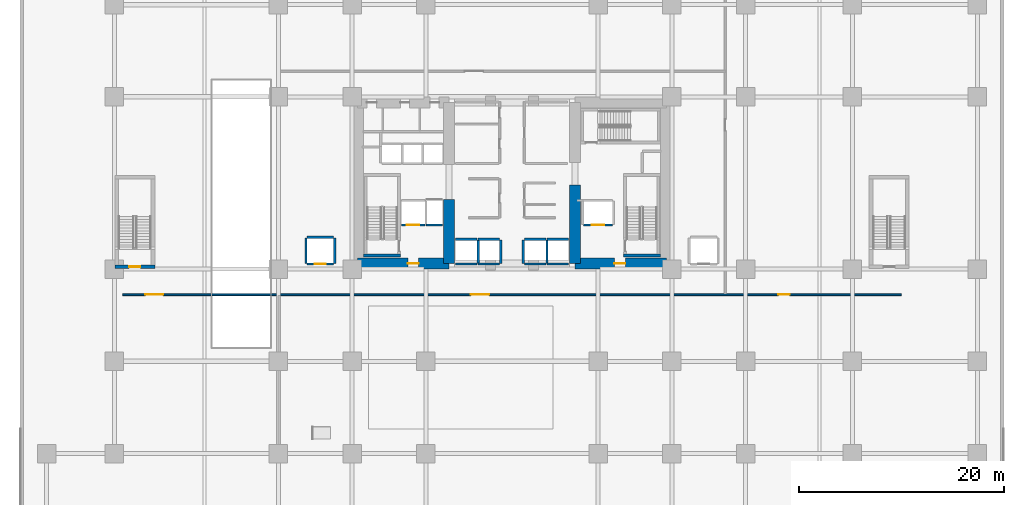
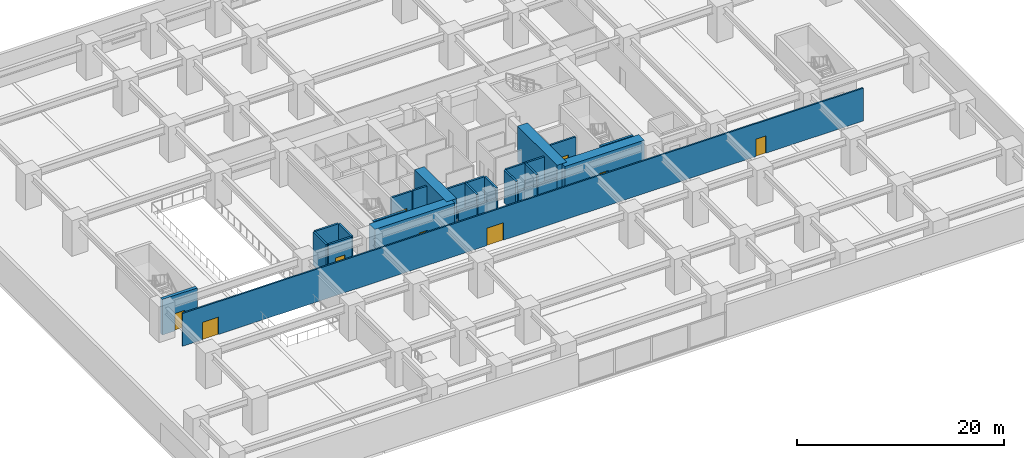
# One storey, part 10 of 22: 27 walls, 9 doors, 9 openings.
"""IFC4 building model written with IfcOpenShell, lengths in metres."""

from ifc_helpers import new_model, si_unit, direction, frame, frame_2d, origin, place, context, subcontext, project, spatial, rectangle, extrude, material, layer, layer_set, type_object, element, fill, save


model = new_model("IFC4")

# Units and contexts
model_context = context("Model", 3, precision=1e-05, world=origin(), true_north=direction((0.0, 1.0)))
body_context = subcontext(model_context, "Body", "Model", "MODEL_VIEW")
ifc_project = project(units=[si_unit("LENGTHUNIT", "METRE"), si_unit("AREAUNIT", "SQUARE_METRE"), si_unit("VOLUMEUNIT", "CUBIC_METRE"), si_unit("PLANEANGLEUNIT", "RADIAN"), si_unit("MASSUNIT", "GRAM", prefix="KILO")], contexts=[model_context])

# Site, building, storey
site_placement = place(None, origin())
site = spatial("IfcSite", under=ifc_project, at=site_placement, CompositionType="ELEMENT")
building_placement = place(site_placement, origin())
building = spatial("IfcBuilding", under=site, at=building_placement, Name="Kiyonajd Concourse Tower", CompositionType="ELEMENT")
storey_placement = place(building_placement, frame((0.0, 0.0, 8.699951171875)))
storey = spatial("IfcBuildingStorey", under=building, at=storey_placement, Name="L03", CompositionType="ELEMENT", Elevation=8.699951171875)

# Wall
ifc_material_1 = material(Name="Concrete C80/95", Category="concrete")
ifc_layer_1 = layer(ifc_material_1, 1.10009765625)
ifc_layer_set_1 = layer_set([ifc_layer_1], Name="Concrete C80/95")
wall_type_1 = type_object("IfcWallType", Name="WL-CORE-1100", PredefinedType="SHEAR", material=ifc_layer_set_1)
wall_1_placement = place(storey_placement, frame((41.85009765625, 28.14990234375, 0.0), z_axis=(0.0, 0.0, 1.0), x_axis=(0.0, 1.0, 0.0)))
element("IfcWall", 1, at=wall_1_placement, inside=storey, type_object=wall_type_1, Name="L03 West Core Inner South Shear Wall", PredefinedType="SHEAR", context=body_context, shape_type="SweptSolid", body=[
    extrude(rectangle(XDim=6.25, YDim=1.10009765625, at=frame_2d((3.125, 0.0))), origin(), (0.0, 0.0, 1.0), 4.199951171875),
])

# Wall, opening, door
wall_2_placement = place(storey_placement, frame((32.949951171875, 28.14990234375, 0.0), z_axis=(0.0, 0.0, 1.0), x_axis=(1.0, 0.0, 0.0)))
wall_2 = element("IfcWall", 2, at=wall_2_placement, inside=storey, type_object=wall_type_1, Name="L03 West Core South Shear Wall", PredefinedType="SHEAR", context=body_context, shape_type="SweptSolid", body=[
    extrude(rectangle(XDim=8.900146484375, YDim=1.10009765625, at=frame_2d((4.4501953125, 0.0))), origin(), (0.0, 0.0, 1.0), 4.199951171875),
])
opening_1_placement = place(wall_2_placement, frame((4.89990234375, 0.0, 0.0)))
opening_1 = element("IfcOpeningElement", 3, at=opening_1_placement, cuts=wall_2, Name="Opening DF5", PredefinedType="OPENING", context=body_context, shape_type="SweptSolid", body=[
    extrude(rectangle(XDim=1.050048828125, YDim=2.0400390625, at=frame_2d((0.52490234375, 1.02001953125))), frame((0.0, 0.56005859375, 0.0), z_axis=(0.0, -1.0, 0.0), x_axis=(1.0, 0.0, 0.0)), (0.0, 0.0, 1.0), 1.1201171875),
])
ifc_material_2 = material(Name="Brushed Stainless Steel Cab Assembly", Category="steel")
door_type_1 = type_object("IfcDoorType", Name="DR-FD45-1050", OperationType="NOTDEFINED", PredefinedType="DOOR", material=ifc_material_2)
door_1_placement = place(opening_1_placement, origin())
door_1 = element("IfcDoor", 4, at=door_1_placement, inside=storey, type_object=door_type_1, Name="L03 Firefighting Lift Lobby W Smoke Door", OperationType="SINGLE_SWING_LEFT", OverallHeight=2.0400390625, OverallWidth=1.050048828125, PredefinedType="DOOR", context=body_context, shape_type="SweptSolid", body=[
    extrude(rectangle(XDim=1.050048828125, YDim=2.0400390625, at=frame_2d((0.52490234375, 1.02001953125))), frame((0.0, 0.02490234375, 0.0), z_axis=(0.0, -1.0, 0.0), x_axis=(1.0, 0.0, 0.0)), (0.0, 0.0, 1.0), 0.050048828125),
])
fill(opening_1, door_1)

# Wall
wall_3_placement = place(storey_placement, frame((54.14990234375, 28.14990234375, 0.0), z_axis=(0.0, 0.0, 1.0), x_axis=(0.0, 1.0, 0.0)))
element("IfcWall", 5, at=wall_3_placement, inside=storey, type_object=wall_type_1, Name="L03 East Core Inner South Shear Wall", PredefinedType="SHEAR", context=body_context, shape_type="SweptSolid", body=[
    extrude(rectangle(XDim=7.650146484375, YDim=1.10009765625, at=frame_2d((3.8251953125, 0.0))), origin(), (0.0, 0.0, 1.0), 4.199951171875),
])

# Wall, opening, door
wall_4_placement = place(storey_placement, frame((54.14990234375, 28.14990234375, 0.0), z_axis=(0.0, 0.0, 1.0), x_axis=(1.0, 0.0, 0.0)))
wall_4 = element("IfcWall", 6, at=wall_4_placement, inside=storey, type_object=wall_type_1, Name="L03 East Core South Shear Wall", PredefinedType="SHEAR", context=body_context, shape_type="SweptSolid", body=[
    extrude(rectangle(XDim=8.900146484375, YDim=1.10009765625, at=frame_2d((4.4501953125, 0.0))), origin(), (0.0, 0.0, 1.0), 4.199951171875),
])
opening_2_placement = place(wall_4_placement, frame((3.85009765625, 0.0, 0.0)))
opening_2 = element("IfcOpeningElement", 7, at=opening_2_placement, cuts=wall_4, Name="Opening DF5", PredefinedType="OPENING", context=body_context, shape_type="SweptSolid", body=[
    extrude(rectangle(XDim=1.050048828125, YDim=2.0400390625, at=frame_2d((0.52490234375, 1.02001953125))), frame((0.0, 0.56005859375, 0.0), z_axis=(0.0, -1.0, 0.0), x_axis=(1.0, 0.0, 0.0)), (0.0, 0.0, 1.0), 1.1201171875),
])
door_2_placement = place(opening_2_placement, origin())
door_2 = element("IfcDoor", 8, at=door_2_placement, inside=storey, type_object=door_type_1, Name="L03 Firefighting Lift Lobby E Smoke Door", OperationType="SINGLE_SWING_RIGHT", OverallHeight=2.0400390625, OverallWidth=1.050048828125, PredefinedType="DOOR", context=body_context, shape_type="SweptSolid", body=[
    extrude(rectangle(XDim=1.050048828125, YDim=2.0400390625, at=frame_2d((0.52490234375, 1.02001953125))), frame((0.0, 0.02490234375, 0.0), z_axis=(0.0, -1.0, 0.0), x_axis=(1.0, 0.0, 0.0)), (0.0, 0.0, 1.0), 0.050048828125),
])
fill(opening_2, door_2)

ifc_material_3 = material(Name="Gypsum Board on Cold-Formed Steel Stud", Category="steel")
ifc_layer_2 = layer(ifc_material_3, 0.2099609375)
ifc_layer_set_2 = layer_set([ifc_layer_2], Name="Gypsum Board on Cold-Formed Steel Stud")
wall_type_2 = type_object("IfcWallType", Name="WL-SHAFT-210", PredefinedType="PARTITIONING", material=ifc_layer_set_2)
wall_5_placement = place(storey_placement, frame((37.199951171875, 31.89990234375, 0.0), z_axis=(0.0, 0.0, 1.0), x_axis=(1.0, 0.0, 0.0)))
wall_5 = element("IfcWall", 9, at=wall_5_placement, inside=storey, type_object=wall_type_2, Name="L03 Shaft Enclosure Wall", PredefinedType="PARTITIONING", context=body_context, shape_type="SweptSolid", body=[
    extrude(rectangle(XDim=2.300048828125, YDim=0.2099609375, at=frame_2d((1.14990234375, 0.0))), origin(), (0.0, 0.0, 1.0), 3.880126953125),
])
opening_3_placement = place(wall_5_placement, frame((0.550048828125, 0.0, 0.0)))
opening_3 = element("IfcOpeningElement", 10, at=opening_3_placement, cuts=wall_5, Name="Opening LD2", PredefinedType="OPENING", context=body_context, shape_type="SweptSolid", body=[
    extrude(rectangle(XDim=1.199951171875, YDim=2.0400390625, at=frame_2d((0.60009765625, 1.02001953125))), frame((0.0, 0.114990234375, 0.0), z_axis=(0.0, -1.0, 0.0), x_axis=(1.0, 0.0, 0.0)), (0.0, 0.0, 1.0), 0.22998046875),
])
door_type_2 = type_object("IfcDoorType", Name="DR-LD-1200", OperationType="DOUBLE_DOOR_SLIDING", PredefinedType="DOOR", material=ifc_material_2)
door_3_placement = place(opening_3_placement, origin())
door_3 = element("IfcDoor", 11, at=door_3_placement, inside=storey, type_object=door_type_2, Name="L03 Lift FFL1 Sliding Landing Door", OperationType="DOUBLE_DOOR_SLIDING", OverallHeight=2.0400390625, OverallWidth=1.199951171875, PredefinedType="DOOR", context=body_context, shape_type="SweptSolid", body=[
    extrude(rectangle(XDim=1.199951171875, YDim=2.0400390625, at=frame_2d((0.60009765625, 1.02001953125))), frame((0.0, 0.02490234375, 0.0), z_axis=(0.0, -1.0, 0.0), x_axis=(1.0, 0.0, 0.0)), (0.0, 0.0, 1.0), 0.050048828125),
])
fill(opening_3, door_3)

wall_6_placement = place(storey_placement, frame((55.0, 31.89990234375, 0.0), z_axis=(0.0, 0.0, 1.0), x_axis=(1.0, 0.0, 0.0)))
wall_6 = element("IfcWall", 12, at=wall_6_placement, inside=storey, type_object=wall_type_2, Name="L03 Shaft Enclosure Wall", PredefinedType="PARTITIONING", context=body_context, shape_type="SweptSolid", body=[
    extrude(rectangle(XDim=2.800048828125, YDim=0.2099609375, at=frame_2d((1.39990234375, 0.0))), origin(), (0.0, 0.0, 1.0), 3.880126953125),
])
opening_4_placement = place(wall_6_placement, frame((0.800048828125, 0.0, 0.0)))
opening_4 = element("IfcOpeningElement", 13, at=opening_4_placement, cuts=wall_6, Name="Opening LD2", PredefinedType="OPENING", context=body_context, shape_type="SweptSolid", body=[
    extrude(rectangle(XDim=1.199951171875, YDim=2.0400390625, at=frame_2d((0.60009765625, 1.02001953125))), frame((0.0, 0.114990234375, 0.0), z_axis=(0.0, -1.0, 0.0), x_axis=(1.0, 0.0, 0.0)), (0.0, 0.0, 1.0), 0.22998046875),
])
door_4_placement = place(opening_4_placement, origin())
door_4 = element("IfcDoor", 14, at=door_4_placement, inside=storey, type_object=door_type_2, Name="L03 Lift FFL2 Sliding Landing Door", OperationType="DOUBLE_DOOR_SLIDING", OverallHeight=2.0400390625, OverallWidth=1.199951171875, PredefinedType="DOOR", context=body_context, shape_type="SweptSolid", body=[
    extrude(rectangle(XDim=1.199951171875, YDim=2.0400390625, at=frame_2d((0.60009765625, 1.02001953125))), frame((0.0, 0.02490234375, 0.0), z_axis=(0.0, -1.0, 0.0), x_axis=(1.0, 0.0, 0.0)), (0.0, 0.0, 1.0), 0.050048828125),
])
fill(opening_4, door_4)

# Walls
wall_7_placement = place(storey_placement, frame((39.60009765625, 31.89990234375, 0.0), z_axis=(0.0, 0.0, 1.0), x_axis=(1.0, 0.0, 0.0)))
element("IfcWall", 15, at=wall_7_placement, inside=storey, type_object=wall_type_2, Name="L03 Shaft Enclosure Wall", PredefinedType="PARTITIONING", context=body_context, shape_type="SweptSolid", body=[
    extrude(rectangle(XDim=1.599853515625, YDim=0.2099609375, at=frame_2d((0.7998046875, 0.0))), origin(), (0.0, 0.0, 1.0), 3.880126953125),
])
wall_8_placement = place(storey_placement, frame((42.5, 30.5, 0.0), z_axis=(0.0, 0.0, 1.0), x_axis=(1.0, 0.0, 0.0)))
element("IfcWall", 16, at=wall_8_placement, inside=storey, type_object=wall_type_2, Name="L03 Shaft Enclosure Wall", PredefinedType="PARTITIONING", context=body_context, shape_type="SweptSolid", body=[
    extrude(rectangle(XDim=2.10009765625, YDim=0.2099609375, at=frame_2d((1.050048828125, 0.0))), origin(), (0.0, 0.0, 1.0), 3.880126953125),
])
wall_9_placement = place(storey_placement, frame((42.5, 28.10009765625, 0.0), z_axis=(0.0, 0.0, 1.0), x_axis=(1.0, 0.0, 0.0)))
element("IfcWall", 17, at=wall_9_placement, inside=storey, type_object=wall_type_2, Name="L03 Shaft Enclosure Wall", PredefinedType="PARTITIONING", context=body_context, shape_type="SweptSolid", body=[
    extrude(rectangle(XDim=2.10009765625, YDim=0.2099609375, at=frame_2d((1.050048828125, 0.0))), origin(), (0.0, 0.0, 1.0), 2.76513671875),
])
wall_10_placement = place(storey_placement, frame((44.699951171875, 28.159912109375, 0.0), z_axis=(0.0, 0.0, 1.0), x_axis=(0.0, 1.0, 0.0)))
element("IfcWall", 18, at=wall_10_placement, inside=storey, type_object=wall_type_2, Name="L03 Shaft Enclosure Wall", PredefinedType="PARTITIONING", context=body_context, shape_type="SweptSolid", body=[
    extrude(rectangle(XDim=2.280029296875, YDim=0.2099609375, at=frame_2d((1.14013671875, 0.0))), origin(), (0.0, 0.0, 1.0), 3.880126953125),
])
wall_11_placement = place(storey_placement, frame((44.699951171875, 30.5, 0.0), z_axis=(0.0, 0.0, 1.0), x_axis=(1.0, 0.0, 0.0)))
element("IfcWall", 19, at=wall_11_placement, inside=storey, type_object=wall_type_2, Name="L03 Shaft Enclosure Wall", PredefinedType="PARTITIONING", context=body_context, shape_type="SweptSolid", body=[
    extrude(rectangle(XDim=2.10009765625, YDim=0.2099609375, at=frame_2d((1.050048828125, 0.0))), origin(), (0.0, 0.0, 1.0), 3.880126953125),
])
wall_12_placement = place(storey_placement, frame((44.699951171875, 28.10009765625, 0.0), z_axis=(0.0, 0.0, 1.0), x_axis=(1.0, 0.0, 0.0)))
element("IfcWall", 20, at=wall_12_placement, inside=storey, type_object=wall_type_2, Name="L03 Shaft Enclosure Wall", PredefinedType="PARTITIONING", context=body_context, shape_type="SweptSolid", body=[
    extrude(rectangle(XDim=2.10009765625, YDim=0.2099609375, at=frame_2d((1.050048828125, 0.0))), origin(), (0.0, 0.0, 1.0), 2.76513671875),
])
wall_13_placement = place(storey_placement, frame((46.89990234375, 28.159912109375, 0.0), z_axis=(0.0, 0.0, 1.0), x_axis=(0.0, 1.0, 0.0)))
element("IfcWall", 21, at=wall_13_placement, inside=storey, type_object=wall_type_2, Name="L03 Shaft Enclosure Wall", PredefinedType="PARTITIONING", context=body_context, shape_type="SweptSolid", body=[
    extrude(rectangle(XDim=2.280029296875, YDim=0.2099609375, at=frame_2d((1.14013671875, 0.0))), origin(), (0.0, 0.0, 1.0), 3.880126953125),
])
wall_14_placement = place(storey_placement, frame((49.199951171875, 30.5, 0.0), z_axis=(0.0, 0.0, 1.0), x_axis=(1.0, 0.0, 0.0)))
element("IfcWall", 22, at=wall_14_placement, inside=storey, type_object=wall_type_2, Name="L03 Shaft Enclosure Wall", PredefinedType="PARTITIONING", context=body_context, shape_type="SweptSolid", body=[
    extrude(rectangle(XDim=2.10009765625, YDim=0.2099609375, at=frame_2d((1.050048828125, 0.0))), origin(), (0.0, 0.0, 1.0), 3.880126953125),
])
wall_15_placement = place(storey_placement, frame((49.199951171875, 28.10009765625, 0.0), z_axis=(0.0, 0.0, 1.0), x_axis=(1.0, 0.0, 0.0)))
element("IfcWall", 23, at=wall_15_placement, inside=storey, type_object=wall_type_2, Name="L03 Shaft Enclosure Wall", PredefinedType="PARTITIONING", context=body_context, shape_type="SweptSolid", body=[
    extrude(rectangle(XDim=2.10009765625, YDim=0.2099609375, at=frame_2d((1.050048828125, 0.0))), origin(), (0.0, 0.0, 1.0), 2.76513671875),
])
for number, where, z_axis, x_axis, name in (
    (24, (49.10009765625, 28.159912109375, 0.0), (0.0, 0.0, 1.0), (0.0, 1.0, 0.0), "L03 Shaft Enclosure Wall"),
    (25, (51.39990234375, 28.159912109375, 0.0), (0.0, 0.0, 1.0), (0.0, 1.0, 0.0), "L03 Shaft Enclosure Wall"),
):
    element("IfcWall", number, at=place(storey_placement, frame(where, z_axis=z_axis, x_axis=x_axis)), inside=storey, type_object=wall_type_2, Name=name, PredefinedType="PARTITIONING", context=body_context, shape_type="SweptSolid", body=[
        extrude(rectangle(XDim=2.280029296875, YDim=0.2099609375, at=frame_2d((1.14013671875, 0.0))), origin(), (0.0, 0.0, 1.0), 3.880126953125),
    ])
wall_16_placement = place(storey_placement, frame((51.39990234375, 30.5, 0.0), z_axis=(0.0, 0.0, 1.0), x_axis=(1.0, 0.0, 0.0)))
element("IfcWall", 26, at=wall_16_placement, inside=storey, type_object=wall_type_2, Name="L03 Shaft Enclosure Wall", PredefinedType="PARTITIONING", context=body_context, shape_type="SweptSolid", body=[
    extrude(rectangle(XDim=2.10009765625, YDim=0.2099609375, at=frame_2d((1.050048828125, 0.0))), origin(), (0.0, 0.0, 1.0), 3.880126953125),
])
wall_17_placement = place(storey_placement, frame((51.39990234375, 28.10009765625, 0.0), z_axis=(0.0, 0.0, 1.0), x_axis=(1.0, 0.0, 0.0)))
element("IfcWall", 27, at=wall_17_placement, inside=storey, type_object=wall_type_2, Name="L03 Shaft Enclosure Wall", PredefinedType="PARTITIONING", context=body_context, shape_type="SweptSolid", body=[
    extrude(rectangle(XDim=2.10009765625, YDim=0.2099609375, at=frame_2d((1.050048828125, 0.0))), origin(), (0.0, 0.0, 1.0), 2.76513671875),
])

# Wall, opening, door
wall_18_placement = place(storey_placement, frame((28.0, 28.10009765625, 0.0), z_axis=(0.0, 0.0, 1.0), x_axis=(1.0, 0.0, 0.0)))
wall_18 = element("IfcWall", 28, at=wall_18_placement, inside=storey, type_object=wall_type_2, Name="L03 Shaft Enclosure Wall", PredefinedType="PARTITIONING", context=body_context, shape_type="SweptSolid", body=[
    extrude(rectangle(XDim=2.60009765625, YDim=0.2099609375, at=frame_2d((1.300048828125, 0.0))), origin(), (0.0, 0.0, 1.0), 3.880126953125),
])
opening_5_placement = place(wall_18_placement, frame((0.75, 0.0, 0.0)))
opening_5 = element("IfcOpeningElement", 29, at=opening_5_placement, cuts=wall_18, Name="Opening LD1", PredefinedType="OPENING", context=body_context, shape_type="SweptSolid", body=[
    extrude(rectangle(XDim=1.10009765625, YDim=2.0400390625, at=frame_2d((0.550048828125, 1.02001953125))), frame((0.0, 0.114990234375, 0.0), z_axis=(0.0, -1.0, 0.0), x_axis=(1.0, 0.0, 0.0)), (0.0, 0.0, 1.0), 0.22998046875),
])
door_type_3 = type_object("IfcDoorType", Name="DR-LD-1100", OperationType="DOUBLE_DOOR_SLIDING", PredefinedType="DOOR", material=ifc_material_2)
door_5_placement = place(opening_5_placement, origin())
door_5 = element("IfcDoor", 30, at=door_5_placement, inside=storey, type_object=door_type_3, Name="L03 Lift PD1 Sliding Landing Door", OperationType="DOUBLE_DOOR_SLIDING", OverallHeight=2.0400390625, OverallWidth=1.10009765625, PredefinedType="DOOR", context=body_context, shape_type="SweptSolid", body=[
    extrude(rectangle(XDim=1.10009765625, YDim=2.0400390625, at=frame_2d((0.550048828125, 1.02001953125))), frame((0.0, 0.02490234375, 0.0), z_axis=(0.0, -1.0, 0.0), x_axis=(1.0, 0.0, 0.0)), (0.0, 0.0, 1.0), 0.050048828125),
])
fill(opening_5, door_5)

# Walls
wall_19_placement = place(storey_placement, frame((28.0, 30.699951171875, 0.0), z_axis=(0.0, 0.0, 1.0), x_axis=(1.0, 0.0, 0.0)))
element("IfcWall", 31, at=wall_19_placement, inside=storey, type_object=wall_type_2, Name="L03 Shaft Enclosure Wall", PredefinedType="PARTITIONING", context=body_context, shape_type="SweptSolid", body=[
    extrude(rectangle(XDim=2.60009765625, YDim=0.2099609375, at=frame_2d((1.300048828125, 0.0))), origin(), (0.0, 0.0, 1.0), 3.880126953125),
])
for number, where, z_axis, x_axis, name in (
    (32, (27.89990234375, 28.159912109375, 0.0), (0.0, 0.0, 1.0), (0.0, 1.0, 0.0), "L03 Shaft Enclosure Wall"),
    (33, (30.699951171875, 28.159912109375, 0.0), (0.0, 0.0, 1.0), (0.0, 1.0, 0.0), "L03 Shaft Enclosure Wall"),
):
    element("IfcWall", number, at=place(storey_placement, frame(where, z_axis=z_axis, x_axis=x_axis)), inside=storey, type_object=wall_type_2, Name=name, PredefinedType="PARTITIONING", context=body_context, shape_type="SweptSolid", body=[
        extrude(rectangle(XDim=2.47998046875, YDim=0.2099609375, at=frame_2d((1.239990234375, 0.0))), origin(), (0.0, 0.0, 1.0), 3.880126953125),
    ])

# Wall, openings, doors
ifc_layer_3 = layer(ifc_material_3, 0.169921875)
ifc_layer_set_3 = layer_set([ifc_layer_3], Name="Gypsum Board on Cold-Formed Steel Stud")
wall_type_3 = type_object("IfcWallType", Name="WL-SMK-170", PredefinedType="PARTITIONING", material=ifc_layer_set_3)
wall_20_placement = place(storey_placement, frame((10.0, 25.10009765625, 0.0), z_axis=(0.0, 0.0, 1.0), x_axis=(1.0, 0.0, 0.0)))
wall_20 = element("IfcWall", 34, at=wall_20_placement, inside=storey, type_object=wall_type_3, Name="L03 Interior Partition Wall", PredefinedType="PARTITIONING", context=body_context, shape_type="SweptSolid", body=[
    extrude(rectangle(XDim=76.0, YDim=0.169921875, at=frame_2d((38.0, 0.0))), origin(), (0.0, 0.0, 1.0), 3.880126953125),
])
opening_6_placement = place(wall_20_placement, frame((2.199951171875, 0.0, 0.0)))
opening_6 = element("IfcOpeningElement", 35, at=opening_6_placement, cuts=wall_20, Name="Opening DI3", PredefinedType="OPENING", context=body_context, shape_type="SweptSolid", body=[
    extrude(rectangle(XDim=1.800048828125, YDim=2.06005859375, at=frame_2d((0.89990234375, 1.030029296875))), frame((0.0, 0.094970703125, 0.0), z_axis=(0.0, -1.0, 0.0), x_axis=(1.0, 0.0, 0.0)), (0.0, 0.0, 1.0), 0.18994140625),
])
opening_7_placement = place(wall_20_placement, frame((34.0, 0.0, 0.0)))
opening_7 = element("IfcOpeningElement", 36, at=opening_7_placement, cuts=wall_20, Name="Opening DI3", PredefinedType="OPENING", context=body_context, shape_type="SweptSolid", body=[
    extrude(rectangle(XDim=1.800048828125, YDim=2.06005859375, at=frame_2d((0.89990234375, 1.030029296875))), frame((0.0, 0.094970703125, 0.0), z_axis=(0.0, -1.0, 0.0), x_axis=(1.0, 0.0, 0.0)), (0.0, 0.0, 1.0), 0.18994140625),
])
opening_8_placement = place(wall_20_placement, frame((64.0, 0.0, 0.0)))
opening_8 = element("IfcOpeningElement", 37, at=opening_8_placement, cuts=wall_20, Name="Opening DF2", PredefinedType="OPENING", context=body_context, shape_type="SweptSolid", body=[
    extrude(rectangle(XDim=1.10009765625, YDim=2.050048828125, at=frame_2d((0.550048828125, 1.02490234375))), frame((0.0, 0.094970703125, 0.0), z_axis=(0.0, -1.0, 0.0), x_axis=(1.0, 0.0, 0.0)), (0.0, 0.0, 1.0), 0.18994140625),
])
door_type_4 = type_object("IfcDoorType", Name="DR-FD90-1100", OperationType="NOTDEFINED", PredefinedType="DOOR", material=ifc_material_2)
door_6_placement = place(opening_8_placement, origin())
door_6 = element("IfcDoor", 38, at=door_6_placement, inside=storey, type_object=door_type_4, Name="L03 Interior Door", OperationType="SINGLE_SWING_LEFT", OverallHeight=2.050048828125, OverallWidth=1.10009765625, PredefinedType="DOOR", context=body_context, shape_type="SweptSolid", body=[
    extrude(rectangle(XDim=1.10009765625, YDim=2.050048828125, at=frame_2d((0.550048828125, 1.02490234375))), frame((0.0, 0.02490234375, 0.0), z_axis=(0.0, -1.0, 0.0), x_axis=(1.0, 0.0, 0.0)), (0.0, 0.0, 1.0), 0.050048828125),
])
fill(opening_8, door_6)
door_type_5 = type_object("IfcDoorType", Name="DR-PAIR-1800", OperationType="DOUBLE_DOOR_SINGLE_SWING", PredefinedType="DOOR", material=ifc_material_2)
door_7_placement = place(opening_6_placement, origin())
door_7 = element("IfcDoor", 39, at=door_7_placement, inside=storey, type_object=door_type_5, Name="L03 Interior Door", OperationType="DOUBLE_DOOR_SINGLE_SWING", OverallHeight=2.06005859375, OverallWidth=1.800048828125, PredefinedType="DOOR", context=body_context, shape_type="SweptSolid", body=[
    extrude(rectangle(XDim=1.800048828125, YDim=2.06005859375, at=frame_2d((0.89990234375, 1.030029296875))), frame((0.0, 0.02490234375, 0.0), z_axis=(0.0, -1.0, 0.0), x_axis=(1.0, 0.0, 0.0)), (0.0, 0.0, 1.0), 0.050048828125),
])
fill(opening_6, door_7)
door_8_placement = place(opening_7_placement, origin())
door_8 = element("IfcDoor", 40, at=door_8_placement, inside=storey, type_object=door_type_5, Name="L03 Interior Door", OperationType="DOUBLE_DOOR_SINGLE_SWING", OverallHeight=2.06005859375, OverallWidth=1.800048828125, PredefinedType="DOOR", context=body_context, shape_type="SweptSolid", body=[
    extrude(rectangle(XDim=1.800048828125, YDim=2.06005859375, at=frame_2d((0.89990234375, 1.030029296875))), frame((0.0, 0.02490234375, 0.0), z_axis=(0.0, -1.0, 0.0), x_axis=(1.0, 0.0, 0.0)), (0.0, 0.0, 1.0), 0.050048828125),
])
fill(opening_7, door_8)

# Walls
ifc_material_4 = material(Name="Concrete C50/60", Category="concrete")
ifc_layer_4 = layer(ifc_material_4, 0.260009765625)
ifc_layer_set_4 = layer_set([ifc_layer_4], Name="Concrete C50/60")
wall_type_4 = type_object("IfcWallType", Name="WL-STAIR-260", PredefinedType="SHEAR", material=ifc_layer_set_4)
for number, where, z_axis, x_axis, name in (
    (41, (33.5, 28.919921875, 0.0), (0.0, 0.0, 1.0), (1.0, 0.0, 0.0), "L03 Stair ST1 Structural South Wall"),
    (42, (58.889892578125, 28.919921875, 0.0), (0.0, 0.0, 1.0), (1.0, 0.0, 0.0), "L03 Stair ST2 Structural South Wall"),
):
    element("IfcWall", number, at=place(storey_placement, frame(where, z_axis=z_axis, x_axis=x_axis)), inside=storey, type_object=wall_type_4, Name=name, PredefinedType="SHEAR", context=body_context, shape_type="SweptSolid", body=[
        extrude(rectangle(XDim=3.610107421875, YDim=0.260009765625, at=frame_2d((1.80517578125, 0.0))), origin(), (0.0, 0.0, 1.0), 4.199951171875),
    ])

# Wall, opening, door
ifc_layer_5 = layer(ifc_material_4, 0.35009765625)
ifc_layer_set_5 = layer_set([ifc_layer_5], Name="Concrete C50/60")
wall_type_5 = type_object("IfcWallType", Name="WL-STAIR-350", PredefinedType="SHEAR", material=ifc_layer_set_5)
wall_21_placement = place(storey_placement, frame((9.25, 27.824951171875, 0.0), z_axis=(0.0, 0.0, 1.0), x_axis=(1.0, 0.0, 0.0)))
wall_21 = element("IfcWall", 43, at=wall_21_placement, inside=storey, type_object=wall_type_5, Name="L03 Stair ST4 Structural South Wall", PredefinedType="SHEAR", context=body_context, shape_type="SweptSolid", body=[
    extrude(rectangle(XDim=3.89990234375, YDim=0.35009765625, at=frame_2d((1.949951171875, 0.0))), origin(), (0.0, 0.0, 1.0), 4.199951171875),
])
opening_9_placement = place(wall_21_placement, frame((1.39990234375, 0.0, 0.0)))
opening_9 = element("IfcOpeningElement", 44, at=opening_9_placement, cuts=wall_21, Name="Opening DF2", PredefinedType="OPENING", context=body_context, shape_type="SweptSolid", body=[
    extrude(rectangle(XDim=1.10009765625, YDim=2.050048828125, at=frame_2d((0.550048828125, 1.02490234375))), frame((0.0, 0.18505859375, 0.0), z_axis=(0.0, -1.0, 0.0), x_axis=(1.0, 0.0, 0.0)), (0.0, 0.0, 1.0), 0.3701171875),
])
door_9_placement = place(opening_9_placement, origin())
door_9 = element("IfcDoor", 45, at=door_9_placement, inside=storey, type_object=door_type_4, Name="L03 Stair ST4 Fire Door", OperationType="SINGLE_SWING_LEFT", OverallHeight=2.050048828125, OverallWidth=1.10009765625, PredefinedType="DOOR", context=body_context, shape_type="SweptSolid", body=[
    extrude(rectangle(XDim=1.10009765625, YDim=2.050048828125, at=frame_2d((0.550048828125, 1.02490234375))), frame((0.0, 0.02490234375, 0.0), z_axis=(0.0, -1.0, 0.0), x_axis=(1.0, 0.0, 0.0)), (0.0, 0.0, 1.0), 0.050048828125),
])
fill(opening_9, door_9)

save(model, "model.ifc")
